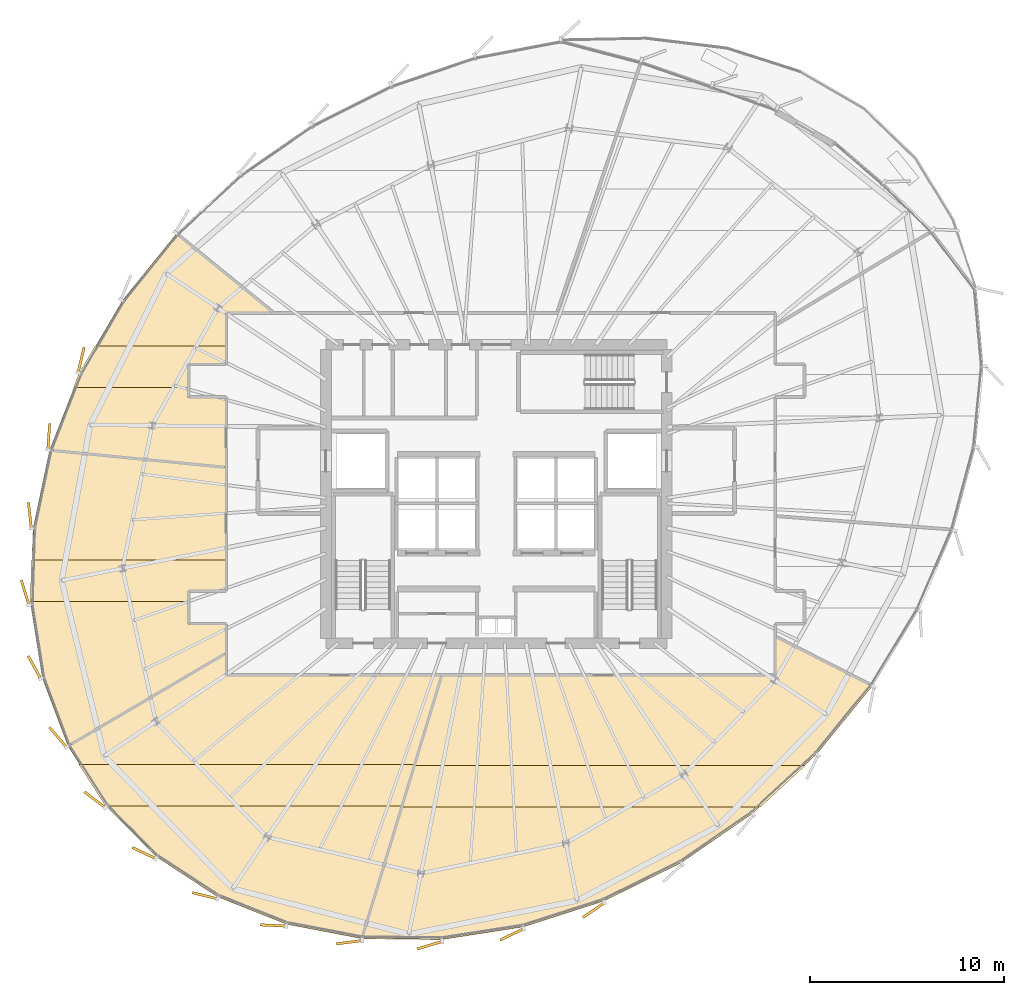
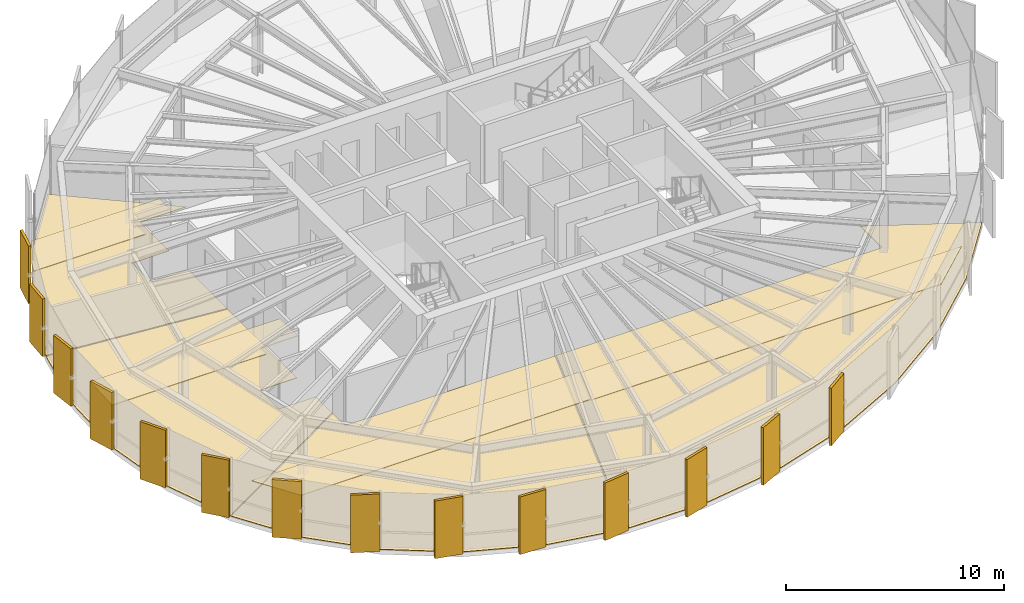
# One storey, part 32 of 34: 22 coverings.
"""IFC4 building model written with IfcOpenShell, lengths in metres."""

from ifc_helpers import new_model, si_unit, direction, frame, origin, origin_2d, place, context, subcontext, project, spatial, polyline, rectangle, outline, extrude, source, transform, mapped, material, layer, layer_set, type_object, element, save


model = new_model("IFC4")

# Units and contexts
model_context = context("Model", 3, precision=1e-05, world=origin(), true_north=direction((0.0, 1.0)))
body_context = subcontext(model_context, "Body", "Model", "MODEL_VIEW")
ifc_project = project(units=[si_unit("LENGTHUNIT", "METRE"), si_unit("AREAUNIT", "SQUARE_METRE"), si_unit("VOLUMEUNIT", "CUBIC_METRE"), si_unit("PLANEANGLEUNIT", "RADIAN"), si_unit("MASSUNIT", "GRAM", prefix="KILO"), si_unit("THERMODYNAMICTEMPERATUREUNIT", "KELVIN")], contexts=[model_context])

# Site, building, storey
site_placement = place(None, origin())
site = spatial("IfcSite", under=ifc_project, at=site_placement, CompositionType="ELEMENT")
building_placement = place(site_placement, origin())
building = spatial("IfcBuilding", under=site, at=building_placement, Name="Kethvar Cultural Tower", CompositionType="ELEMENT")
storey_placement = place(building_placement, frame((0.0, 0.0, 190.39990234375)))
storey = spatial("IfcBuildingStorey", under=building, at=storey_placement, Name="L49", CompositionType="ELEMENT", Elevation=190.39990234375)

# Coverings
ifc_material_1 = material(Name="Acoustic Mineral Fibre Ceiling")
ifc_layer_1 = layer(ifc_material_1, 0.0400390625, Name="Acoustic Mineral Fibre Ceiling")
ifc_layer_set_1 = layer_set([ifc_layer_1], Name="Acoustic Mineral Fibre Ceiling (40 mm)")
covering_type_1 = type_object("IfcCoveringType", Name="CV-ACOUSTIC-CEIL", PredefinedType="CEILING", material=ifc_layer_set_1)
covering_1_placement = place(storey_placement, frame((0.0, 0.0, 2.340087890625)))
element("IfcCovering", 1, at=covering_1_placement, inside=storey, type_object=covering_type_1, Name="L49 Room 01 Acoustic Ceiling Panel", PredefinedType="CEILING", context=body_context, shape_type="SweptSolid", body=[
    extrude(outline(polyline([(25.23779296875, 13.845703125), (42.614013671875, 13.845703125), (41.9658203125, 11.695556640625), (26.61328125, 11.695556640625), (25.23779296875, 13.845703125)])), origin(), (0.0, 0.0, 1.0), 0.0400390625),
])
covering_2_placement = place(storey_placement, frame((0.0, 0.0, 2.340087890625)))
element("IfcCovering", 2, at=covering_2_placement, inside=storey, type_object=covering_type_1, Name="L49 Room 02 Acoustic Ceiling Panel", PredefinedType="CEILING", context=body_context, shape_type="SweptSolid", body=[
    extrude(outline(polyline([(60.4306640625, 11.6328125), (41.905029296875, 11.6328125), (42.55322265625, 13.782958984375), (62.754150390625, 13.782958984375), (60.4306640625, 11.6328125)])), origin(), (0.0, 0.0, 1.0), 0.0400390625),
])
covering_3_placement = place(storey_placement, frame((0.0, 0.0, 2.340087890625)))
element("IfcCovering", 3, at=covering_3_placement, inside=storey, type_object=covering_type_1, Name="L49 Room 07 Acoustic Ceiling Panel", PredefinedType="CEILING", context=body_context, shape_type="SweptSolid", body=[
    extrude(outline(polyline([(25.254638671875, 34.0400390625), (26.078369140625, 35.4453125), (32.8701171875, 35.4453125), (32.859375, 34.482421875), (30.919921875, 34.47998046875), (30.919921875, 33.29541015625), (24.9619140625, 33.29541015625), (25.254638671875, 34.0400390625)])), origin(), (0.0, 0.0, 1.0), 0.0400390625),
])
covering_4_placement = place(storey_placement, frame((0.0, 0.0, 2.340087890625)))
element("IfcCovering", 4, at=covering_4_placement, inside=storey, type_object=covering_type_1, Name="L49 Room 08 Acoustic Ceiling Panel", PredefinedType="CEILING", context=body_context, shape_type="SweptSolid", body=[
    extrude(outline(polyline([(22.794921875, 24.3955078125), (32.8701171875, 24.3955078125), (32.86962890625, 22.796142578125), (30.919921875, 22.780029296875), (30.919921875, 22.245361328125), (22.727294921875, 22.245361328125), (22.794921875, 24.3955078125)])), origin(), (0.0, 0.0, 1.0), 0.0400390625),
])
ifc_material_2 = material(Name="Architectural Oak Timber", Category="wood")
ifc_layer_2 = layer(ifc_material_2, 0.02490234375, Name="Architectural Oak Timber", Category="wood")
ifc_layer_set_2 = layer_set([ifc_layer_2], Name="Architectural Oak Timber (25 mm)")
covering_type_2 = type_object("IfcCoveringType", Name="CV-OAK-FLOOR", PredefinedType="FLOORING", material=ifc_layer_set_2)
covering_5_placement = place(storey_placement, origin())
element("IfcCovering", 5, at=covering_5_placement, inside=storey, type_object=covering_type_2, Name="L49 Room 01 Floor Finish", PredefinedType="FLOORING", context=body_context, shape_type="SweptSolid", body=[
    extrude(outline(polyline([(35.976318359375, 5.58837890625), (32.40625, 7.006591796875), (29.273681640625, 9.056640625), (26.673583984375, 11.67578125), (24.694580078125, 14.768798828125), (32.830078125, 19.555908203125), (32.847900390625, 18.43017578125), (43.954345703125, 18.429931640625), (39.859619140625, 4.84765625), (35.976318359375, 5.58837890625)])), origin(), (0.0, 0.0, 1.0), 0.025146484375),
])
covering_6_placement = place(storey_placement, origin())
element("IfcCovering", 6, at=covering_6_placement, inside=storey, type_object=covering_type_2, Name="L49 Room 02 Floor Finish", PredefinedType="FLOORING", context=body_context, shape_type="SweptSolid", body=[
    extrude(outline(polyline([(63.330322265625, 14.370361328125), (60.01611328125, 11.3037109375), (56.31982421875, 8.75390625), (52.334228515625, 6.783203125), (48.1806640625, 5.451171875), (43.985107421875, 4.798583984375), (39.900146484375, 4.844482421875), (43.99609375, 18.429931640625), (61.201904296875, 18.43017578125), (61.219970703125, 20.42041015625), (66.1953125, 17.8818359375), (63.330322265625, 14.370361328125)])), origin(), (0.0, 0.0, 1.0), 0.025146484375),
])
covering_7_placement = place(storey_placement, origin())
element("IfcCovering", 7, at=covering_7_placement, inside=storey, type_object=covering_type_2, Name="L49 Room 07 Floor Finish", PredefinedType="FLOORING", context=body_context, shape_type="SweptSolid", body=[
    extrude(outline(polyline([(25.29052734375, 34.022705078125), (27.49658203125, 37.78564453125), (30.277587890625, 41.230712890625), (35.263671875, 37.169921875), (32.8388671875, 37.16650390625), (32.830078125, 34.52001953125), (30.880859375, 34.505859375), (30.88720703125, 32.784423828125), (32.830078125, 32.780029296875), (32.830078125, 29.197998046875), (23.74755859375, 30.093505859375), (25.29052734375, 34.022705078125)])), origin(), (0.0, 0.0, 1.0), 0.025146484375),
])
covering_8_placement = place(storey_placement, origin())
element("IfcCovering", 8, at=covering_8_placement, inside=storey, type_object=covering_type_2, Name="L49 Room 08 Floor Finish", PredefinedType="FLOORING", context=body_context, shape_type="SweptSolid", body=[
    extrude(outline(polyline([(23.367431640625, 18.288818359375), (22.76220703125, 22.082275390625), (22.886962890625, 26.0498046875), (23.735107421875, 30.0546875), (32.830078125, 29.15771484375), (32.830078125, 22.820068359375), (30.8798828125, 22.800048828125), (30.88330078125, 21.0888671875), (32.830078125, 21.080078125), (32.830078125, 19.602294921875), (24.677001953125, 14.8046875), (23.367431640625, 18.288818359375)])), origin(), (0.0, 0.0, 1.0), 0.025146484375),
])
ifc_material_3 = material(Name="Extruded Architectural Terracotta", Category="masonry")
ifc_layer_3 = layer(ifc_material_3, 0.135009765625, Name="Extruded Architectural Terracotta", Category="masonry")
ifc_layer_set_3 = layer_set([ifc_layer_3], Name="Extruded Architectural Terracotta (135 mm)")
covering_type_3 = type_object("IfcCoveringType", Name="Terracotta Facade Fin FIN-03", PredefinedType="CLADDING", material=ifc_layer_set_3)
shared_shape = source(origin(), body_context, "Body", "SweptSolid", [
    extrude(rectangle(XDim=1.35009765625, YDim=0.135009765625, at=origin_2d()), origin(), (0.0, 0.0, 1.0), 3.219970703125),
])
for number, where, z_axis, x_axis, name in (
    (9, (25.35498046875, 34.71728515625, 0.02001953125), (0.0, 0.0, 1.0), (0.232426972642, 0.972613850605, 0.0), "L49 Vertical Terracotta Fin 3.5"),
    (10, (23.6875, 30.766357421875, 0.02001953125), (0.0, 0.0, 1.0), (0.069060025714, 0.997612506361, 0.0), "L49 Vertical Terracotta Fin 3.6"),
    (11, (22.712890625, 26.686767578125, 0.02001953125), (0.0, 0.0, 1.0), (-0.107999355706, 0.994150963972, 0.0), "L49 Vertical Terracotta Fin 4.1"),
    (12, (22.46484375, 22.713623046875, 0.02001953125), (0.0, 0.0, 1.0), (-0.293539832896, 0.955946842928, 0.0), "L49 Vertical Terracotta Fin 4.2"),
    (13, (22.9501953125, 18.84814453125, 0.02001953125), (0.0, 0.0, 1.0), (-0.478691857941, 0.877982975428, 0.0), "L49 Vertical Terracotta Fin 4.3"),
    (14, (24.159912109375, 15.244873046875, 0.02001953125), (0.0, 0.0, 1.0), (-0.650906725196, 0.759157714243, 0.0), "L49 Vertical Terracotta Fin 4.4"),
    (15, (26.063720703125, 12.014892578125, 0.02001953125), (0.0, 0.0, 1.0), (-0.796424383441, 0.60473812635, 0.0), "L49 Vertical Terracotta Fin 4.5"),
    (16, (28.6064453125, 9.261474609375, 0.02001953125), (0.0, 0.0, 1.0), (-0.904827052466, 0.425779291565, 0.0), "L49 Vertical Terracotta Fin 4.6"),
    (17, (31.747802734375, 7.0595703125, 0.02001953125), (0.0, 0.0, 1.0), (-0.971672994977, 0.236329411694, 0.0), "L49 Vertical Terracotta Fin 5.1"),
    (18, (35.281494140625, 5.5234375, 0.02001953125), (0.0, 0.0, 1.0), (-0.998806137341, 0.048849769796, 0.0), "L49 Vertical Terracotta Fin 5.2"),
    (19, (39.202880859375, 4.658203125, 0.02001953125), (0.0, 0.0, 1.0), (-0.991760837, -0.128103248172, 0.0), "L49 Vertical Terracotta Fin 5.3"),
    (20, (43.352783203125, 4.50390625, 0.02001953125), (0.0, 0.0, 1.0), (-0.957117481996, -0.289700061544, 0.0), "L49 Vertical Terracotta Fin 5.4"),
    (21, (47.601806640625, 5.06201171875, 0.02001953125), (0.0, 0.0, 1.0), (-0.900470640862, -0.434916802325, 0.0), "L49 Vertical Terracotta Fin 5.5"),
    (22, (51.819580078125, 6.3125, 0.02001953125), (0.0, 0.0, 1.0), (-0.825999928064, -0.563670221706, 0.0), "L49 Vertical Terracotta Fin 5.6"),
):
    element("IfcCovering", number, at=place(storey_placement, frame(where, z_axis=z_axis, x_axis=x_axis)), inside=storey, type_object=covering_type_3, Name=name, PredefinedType="CLADDING", context=body_context, shape_type="MappedRepresentation", body=[
        mapped(shared_shape, transform((0.0, 0.0, 0.0), scale=1.0)),
    ])

save(model, "model.ifc")
